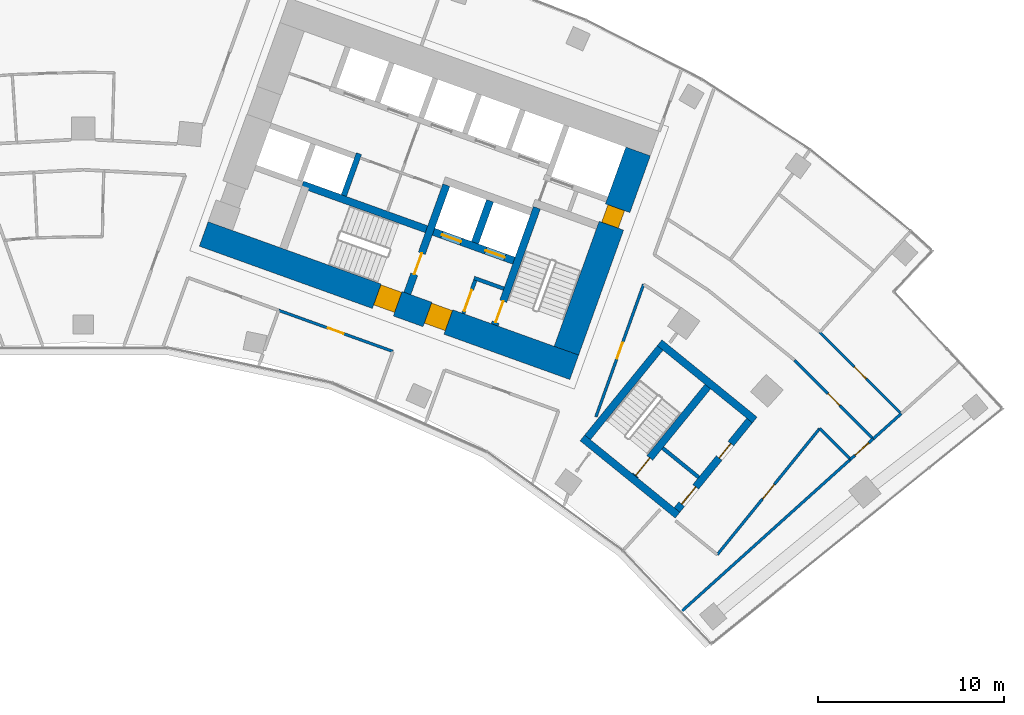
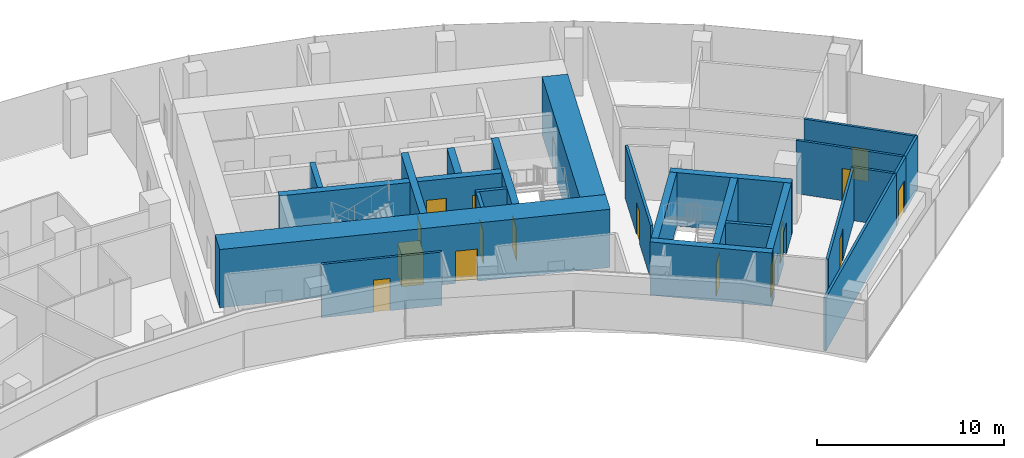
# One storey, part 17 of 21: 24 walls, 17 doors, 17 openings.
"""IFC4 building model written with IfcOpenShell, lengths in metres."""

import ifcopenshell
import ifcopenshell.guid

model = None  # the IFC model being written
_history = None  # IfcOwnerHistory: only IFC2X3 demands one
_inside = {}  # id of a spatial element -> (the spatial element, [elements in it])
_under = {}  # id of a project, library or spatial element -> (it, [spatial elements below it])
_declared = {}  # id of a project -> (the project, [libraries it declares])
_typed = {}  # id of a type object -> (the type object, [elements of that type])
_made_of = {}  # id of a material, layer set ... -> (it, [elements and type objects made of it])


def new_model(schema):
    """Start an empty IFC model of exactly this schema.

    Asked for "IFC4X3", IfcOpenShell would pick the latest addendum, in which some entities
    have other attributes; the version numbers below select the first issue.
    IFC2X3 requires an IfcOwnerHistory on every rooted entity: one is made here for all.
    """
    global model, _history
    if schema == "IFC4X3":
        model = ifcopenshell.file(schema_version=(4, 3, 0, 0))
    else:
        model = ifcopenshell.file(schema=schema)
    _inside.clear()
    _under.clear()
    _declared.clear()
    _typed.clear()
    _made_of.clear()
    _history = None
    if model.schema == "IFC2X3":
        org = make("IfcOrganization", Name="unknown")
        user = make(
            "IfcPersonAndOrganization",
            ThePerson=make("IfcPerson", FamilyName="unknown"),
            TheOrganization=org,
        )
        app = make(
            "IfcApplication",
            ApplicationDeveloper=org,
            Version="unknown",
            ApplicationFullName="unknown",
            ApplicationIdentifier="unknown",
        )
        _history = make(
            "IfcOwnerHistory",
            OwningUser=user,
            OwningApplication=app,
            ChangeAction="ADDED",
            CreationDate=0,
        )
    return model


def make(cls, **values):
    """One entity of the class cls with the attributes given. An attribute that is None is left unset."""
    return model.create_entity(
        cls, **{name: value for name, value in values.items() if value is not None}
    )


def rooted(cls, **values):
    """An entity with a GlobalId (a new one), such as an element, a storey or a relation."""
    return make(cls, GlobalId=ifcopenshell.guid.new(), OwnerHistory=_history, **values)


def si_unit(unit_type, name, prefix=None):
    """IfcSIUnit, for example si_unit("LENGTHUNIT", "METRE", prefix="MILLI")."""
    return make("IfcSIUnit", UnitType=unit_type, Prefix=prefix, Name=name)


def assignment(units):
    """IfcUnitAssignment: the units of a project."""
    return None if units is None else make("IfcUnitAssignment", Units=units)


def point(xyz):
    """IfcCartesianPoint."""
    return None if xyz is None else make("IfcCartesianPoint", Coordinates=xyz)


def direction(xyz):
    """IfcDirection."""
    return None if xyz is None else make("IfcDirection", DirectionRatios=xyz)


def frame(location, z_axis=None, x_axis=None):
    """IfcAxis2Placement3D, a coordinate frame: its origin and axes. An axis left out is left unset."""
    return make(
        "IfcAxis2Placement3D",
        Location=point(location),
        Axis=direction(z_axis),
        RefDirection=direction(x_axis),
    )


def frame_2d(location, x_axis=None):
    """IfcAxis2Placement2D, a coordinate frame in the plane: its origin and x axis."""
    return make(
        "IfcAxis2Placement2D", Location=point(location), RefDirection=direction(x_axis)
    )


def origin():
    """The frame at (0, 0, 0) with its axes left unset."""
    return frame((0.0, 0.0, 0.0))


def place(relative_to, where):
    """IfcLocalPlacement: puts the frame where relative to a parent placement (None: the world)."""
    return make(
        "IfcLocalPlacement", PlacementRelTo=relative_to, RelativePlacement=where
    )


def context(
    kind, dimensions, precision=None, world=None, true_north=None, identifier=None
):
    """IfcGeometricRepresentationContext, for example the 3D "Model" context."""
    return make(
        "IfcGeometricRepresentationContext",
        ContextIdentifier=identifier,
        ContextType=kind,
        CoordinateSpaceDimension=dimensions,
        Precision=precision,
        WorldCoordinateSystem=world,
        TrueNorth=true_north,
    )


def subcontext(parent, identifier, kind, view, scale=None):
    """IfcGeometricRepresentationSubContext, for example "Body" below "Model"."""
    return make(
        "IfcGeometricRepresentationSubContext",
        ContextIdentifier=identifier,
        ContextType=kind,
        ParentContext=parent,
        TargetScale=scale,
        TargetView=view,
    )


def project(units=None, contexts=None):
    """IfcProject with its units and contexts."""
    return rooted(
        "IfcProject",
        Name="project",
        RepresentationContexts=contexts,
        UnitsInContext=assignment(units),
    )


def spatial(cls, under=None, at=None, **own):
    """A site, building, storey or space (cls), placed at a placement, below another one or the project."""
    s = rooted(cls, ObjectPlacement=at, **own)
    if under is not None:
        _under.setdefault(under.id(), (under, []))[1].append(s)
    return s


def profile(cls, at=None, kind="AREA", **sizes):
    """A parametric profile (cls). Its sizes go by their IFC names, for example OverallWidth=200.0."""
    return make(cls, ProfileType=kind, Position=at, **sizes)


def rectangle(**sizes):
    """IfcRectangleProfileDef."""
    return profile("IfcRectangleProfileDef", **sizes)


def extrude(swept, where, along, depth):
    """IfcExtrudedAreaSolid: the profile swept, set in the frame where, extruded along a direction by depth."""
    return make(
        "IfcExtrudedAreaSolid",
        SweptArea=swept,
        Position=where,
        ExtrudedDirection=direction(along),
        Depth=depth,
    )


def shape(context_of_items, identifier, shape_type, items):
    """IfcShapeRepresentation: the items that make up one representation, for example the "Body"."""
    return make(
        "IfcShapeRepresentation",
        ContextOfItems=context_of_items,
        RepresentationIdentifier=identifier,
        RepresentationType=shape_type,
        Items=items,
    )


def material(Name=None, Category=None):
    """IfcMaterial."""
    return make("IfcMaterial", Name=Name, Category=Category)


def layer(
    of_material, thickness, ventilated=None, Name=None, Category=None, Priority=None
):
    """IfcMaterialLayer: one layer of a wall or slab, of a material (None: an air gap)."""
    return make(
        "IfcMaterialLayer",
        Material=of_material,
        LayerThickness=thickness,
        IsVentilated=ventilated,
        Name=Name,
        Category=Category,
        Priority=Priority,
    )


def layer_set(layers, Name=None):
    """IfcMaterialLayerSet."""
    return make("IfcMaterialLayerSet", MaterialLayers=layers, LayerSetName=Name)


def made_of(thing, what):
    """Note that an element or type object is made of a material, layer set ...; save() writes the relation."""
    if what is not None:
        _made_of.setdefault(what.id(), (what, []))[1].append(thing)
    return thing


def type_object(cls, material=None, **own):
    """A type object (cls), such as IfcWallType, which elements share."""
    return made_of(rooted(cls, **own), material)


def element(
    cls,
    number,
    at=None,
    inside=None,
    cuts=None,
    type_object=None,
    material=None,
    context=None,
    identifier="Body",
    shape_type=None,
    held_by="IfcProductDefinitionShape",
    body=None,
    shapes=None,
    **own,
):
    """One element of the class cls, such as IfcWall. Its Tag is "e" and its number.

    at: its placement. inside: the storey or other place that contains it. cuts: it is an
    opening in that element (IfcRelVoidsElement). A single representation is given by context,
    identifier, shape_type and body (its items); several are given by shapes. held_by: the class
    of the entity that holds the representations. save() writes the other relations.
    """
    e = rooted(cls, Tag="e%d" % number, ObjectPlacement=at, **own)
    if body is not None:
        shapes = [shape(context, identifier, shape_type, body)]
    if shapes is not None:
        e.Representation = make(held_by, Representations=shapes)
    if inside is not None:
        _inside.setdefault(inside.id(), (inside, []))[1].append(e)
    if cuts is not None:
        rooted(
            "IfcRelVoidsElement", RelatingBuildingElement=cuts, RelatedOpeningElement=e
        )
    if type_object is not None:
        _typed.setdefault(type_object.id(), (type_object, []))[1].append(e)
    return made_of(e, material)


def fill(opening, filler):
    """IfcRelFillsElement: the door or window that sits in an opening."""
    return rooted(
        "IfcRelFillsElement",
        RelatingOpeningElement=opening,
        RelatedBuildingElement=filler,
    )


def aggregate(whole, parts):
    """IfcRelAggregates: a whole, such as a stair, and the parts it consists of."""
    return rooted("IfcRelAggregates", RelatingObject=whole, RelatedObjects=parts)


def save(model, path):
    """Write the relations noted so far, then the file.

    IfcRelAggregates (storeys below a building ...), IfcRelContainedInSpatialStructure (elements
    in a storey), IfcRelDefinesByType, IfcRelAssociatesMaterial and IfcRelDeclares: one each for
    every whole, place, type object, material and project.
    """
    for whole, parts in _under.values():
        aggregate(whole, parts)
    for where, things in _inside.values():
        rooted(
            "IfcRelContainedInSpatialStructure",
            RelatedElements=things,
            RelatingStructure=where,
        )
    for kind, things in _typed.values():
        rooted("IfcRelDefinesByType", RelatedObjects=things, RelatingType=kind)
    for what, things in _made_of.values():
        rooted("IfcRelAssociatesMaterial", RelatedObjects=things, RelatingMaterial=what)
    for by, libraries in _declared.values():
        rooted("IfcRelDeclares", RelatingContext=by, RelatedDefinitions=libraries)
    model.write(path)


model = new_model("IFC4")

# Units and contexts
model_context = context("Model", 3, precision=1e-05, world=origin(), true_north=direction((0.0, 1.0)))
body_context = subcontext(model_context, "Body", "Model", "MODEL_VIEW")
ifc_project = project(units=[si_unit("LENGTHUNIT", "METRE"), si_unit("AREAUNIT", "SQUARE_METRE"), si_unit("VOLUMEUNIT", "CUBIC_METRE"), si_unit("PLANEANGLEUNIT", "RADIAN"), si_unit("MASSUNIT", "GRAM", prefix="KILO")], contexts=[model_context])

# Site, building, storey
site_placement = place(None, origin())
site = spatial("IfcSite", under=ifc_project, at=site_placement, CompositionType="ELEMENT")
building_placement = place(site_placement, origin())
building = spatial("IfcBuilding", under=site, at=building_placement, Name="Stone Belt Terrace Tower", CompositionType="ELEMENT")
storey_placement = place(building_placement, frame((0.0, 0.0, 163.0)))
storey = spatial("IfcBuildingStorey", under=building, at=storey_placement, Name="L39", CompositionType="ELEMENT", Elevation=163.0)

# Wall, openings, doors
ifc_material_1 = material(Name="Concrete B80", Category="concrete")
ifc_layer_1 = layer(ifc_material_1, 1.39990234375)
ifc_layer_set_1 = layer_set([ifc_layer_1], Name="Core wall 1400 B80")
wall_type_1 = type_object("IfcWallType", Name="Core wall 1400 B80", PredefinedType="SHEAR", material=ifc_layer_set_1)
wall_1_placement = place(storey_placement, frame((6.4833984375, 49.318115234375, 0.0), z_axis=(0.0, 0.0, 1.0), x_axis=(0.940923374003, -0.33861955681, 0.0)))
wall_1 = element("IfcWall", 1, at=wall_1_placement, inside=storey, type_object=wall_type_1, Name="Core B wall concave L39", PredefinedType="SHEAR", context=body_context, shape_type="SweptSolid", body=[
    extrude(rectangle(XDim=21.199951171875, YDim=1.39990234375, at=frame_2d((10.60009765625, 0.0))), origin(), (0.0, 0.0, 1.0), 3.800048828125),
])
opening_1_placement = place(wall_1_placement, frame((12.800048828125, 0.0, 0.0)))
opening_1 = element("IfcOpeningElement", 2, at=opening_1_placement, cuts=wall_1, Name="Opening L39-C23", PredefinedType="OPENING", context=body_context, shape_type="SweptSolid", body=[
    extrude(rectangle(XDim=1.199951171875, YDim=2.10009765625, at=frame_2d((0.60009765625, 1.050048828125))), frame((0.0, 0.7099609375, 0.0), z_axis=(0.0, -1.0, 0.0), x_axis=(1.0, 0.0, 0.0)), (0.0, 0.0, 1.0), 1.419921875),
])
opening_2_placement = place(wall_1_placement, frame((9.89990234375, 0.0, 0.0)))
opening_2 = element("IfcOpeningElement", 3, at=opening_2_placement, cuts=wall_1, Name="Opening L39-C25", PredefinedType="OPENING", context=body_context, shape_type="SweptSolid", body=[
    extrude(rectangle(XDim=1.199951171875, YDim=2.10009765625, at=frame_2d((0.60009765625, 1.050048828125))), frame((0.0, 0.7099609375, 0.0), z_axis=(0.0, -1.0, 0.0), x_axis=(1.0, 0.0, 0.0)), (0.0, 0.0, 1.0), 1.419921875),
])
ifc_material_2 = material(Name="Steel door leaf", Category="steel")
door_type_1 = type_object("IfcDoorType", Name="Fire-fighting lobby door 1200", OperationType="SINGLE_SWING_LEFT", PredefinedType="DOOR", material=ifc_material_2)
door_1_placement = place(opening_1_placement, origin())
door_1 = element("IfcDoor", 4, at=door_1_placement, inside=storey, type_object=door_type_1, Name="Fire-fighting lobby door core B", OperationType="SINGLE_SWING_RIGHT", OverallHeight=2.10009765625, OverallWidth=1.199951171875, PredefinedType="DOOR", context=body_context, shape_type="SweptSolid", body=[
    extrude(rectangle(XDim=1.199951171875, YDim=2.10009765625, at=frame_2d((0.60009765625, 1.050048828125))), frame((0.0, 0.655029296875, 0.0), z_axis=(0.0, -1.0, 0.0), x_axis=(1.0, 0.0, 0.0)), (0.0, 0.0, 1.0), 1.14990234375),
])
fill(opening_1, door_1)
door_type_2 = type_object("IfcDoorType", Name="Stair door 1200", OperationType="SINGLE_SWING_LEFT", PredefinedType="DOOR", material=ifc_material_2)
door_2_placement = place(opening_2_placement, origin())
door_2 = element("IfcDoor", 5, at=door_2_placement, inside=storey, type_object=door_type_2, Name="Stair 2 exit door core B", OperationType="SINGLE_SWING_LEFT", OverallHeight=2.10009765625, OverallWidth=1.199951171875, PredefinedType="DOOR", context=body_context, shape_type="SweptSolid", body=[
    extrude(rectangle(XDim=1.199951171875, YDim=2.10009765625, at=frame_2d((0.60009765625, 1.050048828125))), frame((0.0, 0.655029296875, 0.0), z_axis=(0.0, -1.0, 0.0), x_axis=(1.0, 0.0, 0.0)), (0.0, 0.0, 1.0), 1.14990234375),
])
fill(opening_2, door_2)

# Wall, opening, door
wall_2_placement = place(storey_placement, frame((26.00927734375, 43.03515625, 0.0), z_axis=(0.0, 0.0, 1.0), x_axis=(0.338625431531, 0.940921259788, 0.0)))
wall_2 = element("IfcWall", 6, at=wall_2_placement, inside=storey, type_object=wall_type_1, Name="Core B wall end_b L39", PredefinedType="SHEAR", context=body_context, shape_type="SweptSolid", body=[
    extrude(rectangle(XDim=11.400146484375, YDim=1.39990234375, at=frame_2d((5.7001953125, 0.0))), origin(), (0.0, 0.0, 1.0), 3.800048828125),
])
opening_3_placement = place(wall_2_placement, frame((7.14990234375, 0.0, 0.0)))
opening_3 = element("IfcOpeningElement", 7, at=opening_3_placement, cuts=wall_2, Name="Opening L39-C17", PredefinedType="OPENING", context=body_context, shape_type="SweptSolid", body=[
    extrude(rectangle(XDim=1.0, YDim=2.10009765625, at=frame_2d((0.5, 1.050048828125))), frame((0.0, 0.7099609375, 0.0), z_axis=(0.0, -1.0, 0.0), x_axis=(1.0, 0.0, 0.0)), (0.0, 0.0, 1.0), 1.419921875),
])
ifc_material_3 = material(Name="Timber door leaf", Category="wood")
door_type_3 = type_object("IfcDoorType", Name="Core room door 1000", OperationType="SINGLE_SWING_LEFT", PredefinedType="DOOR", material=ifc_material_3)
door_3_placement = place(opening_3_placement, origin())
door_3 = element("IfcDoor", 8, at=door_3_placement, inside=storey, type_object=door_type_3, Name="Door to Telecommunications riser room core B", OperationType="SINGLE_SWING_LEFT", OverallHeight=2.10009765625, OverallWidth=1.0, PredefinedType="DOOR", context=body_context, shape_type="SweptSolid", body=[
    extrude(rectangle(XDim=1.0, YDim=2.10009765625, at=frame_2d((0.5, 1.050048828125))), frame((0.0, 0.55517578125, 0.0), z_axis=(0.0, -1.0, 0.0), x_axis=(1.0, 0.0, 0.0)), (0.0, 0.0, 1.0), 0.949951171875),
])
fill(opening_3, door_3)

# Walls
ifc_layer_2 = layer(ifc_material_1, 0.39990234375)
ifc_layer_set_2 = layer_set([ifc_layer_2], Name="Fire-fighting lift shaft wall 400")
wall_type_2 = type_object("IfcWallType", Name="Fire-fighting lift shaft wall 400", PredefinedType="SHEAR", material=ifc_layer_set_2)
wall_3_placement = place(storey_placement, frame((21.0859375, 48.845458984375, 0.0), z_axis=(0.0, 0.0, 1.0), x_axis=(0.338629416206, 0.940919825745, 0.0)))
element("IfcWall", 9, at=wall_3_placement, inside=storey, type_object=wall_type_2, Name="Core B wall", PredefinedType="SHEAR", context=body_context, shape_type="SweptSolid", body=[
    extrude(rectangle(XDim=2.400146484375, YDim=0.39990234375, at=frame_2d((1.2001953125, 0.0))), origin(), (0.0, 0.0, 1.0), 3.47998046875),
])
ifc_layer_3 = layer(ifc_material_1, 0.300048828125)
ifc_layer_set_3 = layer_set([ifc_layer_3], Name="Lift shaft wall 300")
wall_type_3 = type_object("IfcWallType", Name="Lift shaft wall 300", PredefinedType="SHEAR", material=ifc_layer_set_3)
wall_4_placement = place(storey_placement, frame((14.029052734375, 51.38525390625, 0.0), z_axis=(0.0, 0.0, 1.0), x_axis=(0.338661829791, 0.940908159728, 0.0)))
element("IfcWall", 10, at=wall_4_placement, inside=storey, type_object=wall_type_3, Name="Core B wall", PredefinedType="SHEAR", context=body_context, shape_type="SweptSolid", body=[
    extrude(rectangle(XDim=2.39990234375, YDim=0.300048828125, at=frame_2d((1.199951171875, 0.0))), origin(), (0.0, 0.0, 1.0), 3.47998046875),
])

# Wall, opening, door
ifc_material_4 = material(Name="Gypsum board partition")
ifc_layer_4 = layer(ifc_material_4, 0.14990234375)
ifc_layer_set_4 = layer_set([ifc_layer_4], Name="PARTITION 150 EI 60")
wall_type_4 = type_object("IfcWallType", Name="PARTITION 150 EI 60", PredefinedType="PARTITIONING", material=ifc_layer_set_4)
wall_5_placement = place(storey_placement, frame((30.1669921875, 46.612060546875, 0.0), z_axis=(0.0, 0.0, 1.0), x_axis=(-0.338694393991, -0.940896438233, 0.0)))
wall_5 = element("IfcWall", 11, at=wall_5_placement, inside=storey, type_object=wall_type_4, Name="L39/wall/i029", PredefinedType="PARTITIONING", context=body_context, shape_type="SweptSolid", body=[
    extrude(rectangle(XDim=7.585205078125, YDim=0.14990234375, at=frame_2d((3.79248046875, 0.0))), origin(), (0.0, 0.0, 1.0), 3.47998046875),
])
opening_4_placement = place(wall_5_placement, frame((3.342529296875, 0.0, 0.0)))
opening_4 = element("IfcOpeningElement", 12, at=opening_4_placement, cuts=wall_5, Name="Opening D-C2-20", PredefinedType="OPENING", context=body_context, shape_type="SweptSolid", body=[
    extrude(rectangle(XDim=0.89990234375, YDim=2.10009765625, at=frame_2d((0.449951171875, 1.050048828125))), frame((0.0, 0.0849609375, 0.0), z_axis=(0.0, -1.0, 0.0), x_axis=(1.0, 0.0, 0.0)), (0.0, 0.0, 1.0), 0.169921875),
])
door_type_4 = type_object("IfcDoorType", Name="OFFICE DOOR 900 X 2100", OperationType="NOTDEFINED", PredefinedType="DOOR", material=ifc_material_3)
door_4_placement = place(opening_4_placement, origin())
door_4 = element("IfcDoor", 13, at=door_4_placement, inside=storey, type_object=door_type_4, Name="L39/door/i20", OperationType="SINGLE_SWING_RIGHT", OverallHeight=2.10009765625, OverallWidth=0.89990234375, PredefinedType="DOOR", context=body_context, shape_type="SweptSolid", body=[
    extrude(rectangle(XDim=0.89990234375, YDim=2.10009765625, at=frame_2d((0.449951171875, 1.050048828125))), frame((0.0, 0.02490234375, 0.0), z_axis=(0.0, -1.0, 0.0), x_axis=(1.0, 0.0, 0.0)), (0.0, 0.0, 1.0), 0.050048828125),
])
fill(opening_4, door_4)

wall_6_placement = place(storey_placement, frame((16.673095703125, 42.993896484375, 0.0), z_axis=(0.0, 0.0, 1.0), x_axis=(-0.940900248157, 0.338683809795, 0.0)))
wall_6 = element("IfcWall", 14, at=wall_6_placement, inside=storey, type_object=wall_type_4, Name="L39/wall/i036", PredefinedType="PARTITIONING", context=body_context, shape_type="SweptSolid", body=[
    extrude(rectangle(XDim=6.546142578125, YDim=0.14990234375, at=frame_2d((3.27294921875, 0.0))), origin(), (0.0, 0.0, 1.0), 3.47998046875),
])
opening_5_placement = place(wall_6_placement, frame((2.822998046875, 0.0, 0.0)))
opening_5 = element("IfcOpeningElement", 15, at=opening_5_placement, cuts=wall_6, Name="Opening D-C2-08", PredefinedType="OPENING", context=body_context, shape_type="SweptSolid", body=[
    extrude(rectangle(XDim=0.89990234375, YDim=2.10009765625, at=frame_2d((0.449951171875, 1.050048828125))), frame((0.0, 0.0849609375, 0.0), z_axis=(0.0, -1.0, 0.0), x_axis=(1.0, 0.0, 0.0)), (0.0, 0.0, 1.0), 0.169921875),
])
door_5_placement = place(opening_5_placement, origin())
door_5 = element("IfcDoor", 16, at=door_5_placement, inside=storey, type_object=door_type_4, Name="L39/door/i08", OperationType="SINGLE_SWING_RIGHT", OverallHeight=2.10009765625, OverallWidth=0.89990234375, PredefinedType="DOOR", context=body_context, shape_type="SweptSolid", body=[
    extrude(rectangle(XDim=0.89990234375, YDim=2.10009765625, at=frame_2d((0.449951171875, 1.050048828125))), frame((0.0, 0.02490234375, 0.0), z_axis=(0.0, -1.0, 0.0), x_axis=(1.0, 0.0, 0.0)), (0.0, 0.0, 1.0), 0.050048828125),
])
fill(opening_5, door_5)

wall_7_placement = place(storey_placement, frame((42.530029296875, 38.294921875, 0.0), z_axis=(0.0, 0.0, 1.0), x_axis=(-0.74296518681, -0.669330061471, 0.0)))
wall_7 = element("IfcWall", 17, at=wall_7_placement, inside=storey, type_object=wall_type_4, Name="L39/wall/i061", PredefinedType="PARTITIONING", context=body_context, shape_type="SweptSolid", body=[
    extrude(rectangle(XDim=1.6611328125, YDim=0.14990234375, at=frame_2d((0.83056640625, 0.0))), origin(), (0.0, 0.0, 1.0), 3.47998046875),
])
opening_6_placement = place(wall_7_placement, frame((0.33056640625, 0.0, 0.0)))
opening_6 = element("IfcOpeningElement", 18, at=opening_6_placement, cuts=wall_7, Name="Opening D-C2-19", PredefinedType="OPENING", context=body_context, shape_type="SweptSolid", body=[
    extrude(rectangle(XDim=1.0, YDim=2.10009765625, at=frame_2d((0.5, 1.050048828125))), frame((0.0, 0.0849609375, 0.0), z_axis=(0.0, -1.0, 0.0), x_axis=(1.0, 0.0, 0.0)), (0.0, 0.0, 1.0), 0.169921875),
])
ifc_material_5 = material(Name="Timber fire door leaf", Category="wood")
door_type_5 = type_object("IfcDoorType", Name="TENANCY ENTRANCE DOOR 1000 X 2100", OperationType="NOTDEFINED", PredefinedType="DOOR", material=ifc_material_5)
door_6_placement = place(opening_6_placement, origin())
door_6 = element("IfcDoor", 19, at=door_6_placement, inside=storey, type_object=door_type_5, Name="L39/door/i19", OperationType="SINGLE_SWING_RIGHT", OverallHeight=2.10009765625, OverallWidth=1.0, PredefinedType="DOOR", context=body_context, shape_type="SweptSolid", body=[
    extrude(rectangle(XDim=1.0, YDim=2.10009765625, at=frame_2d((0.5, 1.050048828125))), frame((0.0, 0.02490234375, 0.0), z_axis=(0.0, -1.0, 0.0), x_axis=(1.0, 0.0, 0.0)), (0.0, 0.0, 1.0), 0.050048828125),
])
fill(opening_6, door_6)

# Walls
wall_8_placement = place(storey_placement, frame((32.23681640625, 29.026123046875, 0.0), z_axis=(0.0, 0.0, 1.0), x_axis=(0.743116028327, 0.669162587451, 0.0)))
element("IfcWall", 20, at=wall_8_placement, inside=storey, type_object=wall_type_4, Name="L39/wall/i062", PredefinedType="PARTITIONING", context=body_context, shape_type="SweptSolid", body=[
    extrude(rectangle(XDim=12.201416015625, YDim=0.14990234375, at=frame_2d((6.1005859375, 0.0))), origin(), (0.0, 0.0, 1.0), 3.47998046875),
])
wall_9_placement = place(storey_placement, frame((42.52197265625, 38.287109375, 0.0), z_axis=(0.0, 0.0, 1.0), x_axis=(0.743276242629, 0.668984623997, 0.0)))
element("IfcWall", 21, at=wall_9_placement, inside=storey, type_object=wall_type_4, Name="L39/wall/i063", PredefinedType="PARTITIONING", context=body_context, shape_type="SweptSolid", body=[
    extrude(rectangle(XDim=2.0341796875, YDim=0.14990234375, at=frame_2d((1.01708984375, 0.0))), origin(), (0.0, 0.0, 1.0), 3.47998046875),
])
wall_10_placement = place(storey_placement, frame((41.300048828125, 37.18701171875, 0.0), z_axis=(0.0, 0.0, 1.0), x_axis=(-0.707158745675, 0.707054812879, 0.0)))
element("IfcWall", 22, at=wall_10_placement, inside=storey, type_object=wall_type_4, Name="L39/wall/i067", PredefinedType="PARTITIONING", context=body_context, shape_type="SweptSolid", body=[
    extrude(rectangle(XDim=2.34912109375, YDim=0.14990234375, at=frame_2d((1.174560546875, 0.0))), origin(), (0.0, 0.0, 1.0), 3.47998046875),
])

# Wall, opening, door
wall_11_placement = place(storey_placement, frame((38.291015625, 42.52587890625, 0.0), z_axis=(0.0, 0.0, 1.0), x_axis=(0.707106781187, -0.707106781187, 0.0)))
wall_11 = element("IfcWall", 23, at=wall_11_placement, inside=storey, type_object=wall_type_4, Name="L39/wall/i070", PredefinedType="PARTITIONING", context=body_context, shape_type="SweptSolid", body=[
    extrude(rectangle(XDim=5.989013671875, YDim=0.14990234375, at=frame_2d((2.99462890625, 0.0))), origin(), (0.0, 0.0, 1.0), 3.47998046875),
])
opening_7_placement = place(wall_11_placement, frame((2.544677734375, 0.0, 0.0)))
opening_7 = element("IfcOpeningElement", 24, at=opening_7_placement, cuts=wall_11, Name="Opening D-C2-23", PredefinedType="OPENING", context=body_context, shape_type="SweptSolid", body=[
    extrude(rectangle(XDim=0.89990234375, YDim=2.10009765625, at=frame_2d((0.449951171875, 1.050048828125))), frame((0.0, 0.0849609375, 0.0), z_axis=(0.0, -1.0, 0.0), x_axis=(1.0, 0.0, 0.0)), (0.0, 0.0, 1.0), 0.169921875),
])
door_7_placement = place(opening_7_placement, origin())
door_7 = element("IfcDoor", 25, at=door_7_placement, inside=storey, type_object=door_type_4, Name="L39/door/i23", OperationType="SINGLE_SWING_RIGHT", OverallHeight=2.10009765625, OverallWidth=0.89990234375, PredefinedType="DOOR", context=body_context, shape_type="SweptSolid", body=[
    extrude(rectangle(XDim=0.89990234375, YDim=2.10009765625, at=frame_2d((0.449951171875, 1.050048828125))), frame((0.0, 0.02490234375, 0.0), z_axis=(0.0, -1.0, 0.0), x_axis=(1.0, 0.0, 0.0)), (0.0, 0.0, 1.0), 0.050048828125),
])
fill(opening_7, door_7)

wall_12_placement = place(storey_placement, frame((39.64306640625, 38.843994140625, 0.0), z_axis=(0.0, 0.0, 1.0), x_axis=(-0.630226712005, -0.776411161354, 0.0)))
wall_12 = element("IfcWall", 26, at=wall_12_placement, inside=storey, type_object=wall_type_4, Name="L39/wall/i071", PredefinedType="PARTITIONING", context=body_context, shape_type="SweptSolid", body=[
    extrude(rectangle(XDim=8.742919921875, YDim=0.14990234375, at=frame_2d((4.37158203125, 0.0))), origin(), (0.0, 0.0, 1.0), 3.47998046875),
])
opening_8_placement = place(wall_12_placement, frame((3.871337890625, 0.0, 0.0)))
opening_8 = element("IfcOpeningElement", 27, at=opening_8_placement, cuts=wall_12, Name="Opening D-C2-22", PredefinedType="OPENING", context=body_context, shape_type="SweptSolid", body=[
    extrude(rectangle(XDim=1.0, YDim=2.10009765625, at=frame_2d((0.5, 1.050048828125))), frame((0.0, 0.0849609375, 0.0), z_axis=(0.0, -1.0, 0.0), x_axis=(1.0, 0.0, 0.0)), (0.0, 0.0, 1.0), 0.169921875),
])
door_8_placement = place(opening_8_placement, origin())
door_8 = element("IfcDoor", 28, at=door_8_placement, inside=storey, type_object=door_type_5, Name="L39/door/i22", OperationType="SINGLE_SWING_RIGHT", OverallHeight=2.10009765625, OverallWidth=1.0, PredefinedType="DOOR", context=body_context, shape_type="SweptSolid", body=[
    extrude(rectangle(XDim=1.0, YDim=2.10009765625, at=frame_2d((0.5, 1.050048828125))), frame((0.0, 0.02490234375, 0.0), z_axis=(0.0, -1.0, 0.0), x_axis=(1.0, 0.0, 0.0)), (0.0, 0.0, 1.0), 0.050048828125),
])
fill(opening_8, door_8)

wall_13_placement = place(storey_placement, frame((39.639892578125, 44.033935546875, 0.0), z_axis=(0.0, 0.0, 1.0), x_axis=(0.707126447351, -0.707087114475, 0.0)))
wall_13 = element("IfcWall", 29, at=wall_13_placement, inside=storey, type_object=wall_type_4, Name="L39/wall/i076", PredefinedType="PARTITIONING", context=body_context, shape_type="SweptSolid", body=[
    extrude(rectangle(XDim=6.20703125, YDim=0.14990234375, at=frame_2d((3.103515625, 0.0))), origin(), (0.0, 0.0, 1.0), 3.47998046875),
])
opening_9_placement = place(wall_13_placement, frame((2.653564453125, 0.0, 0.0)))
opening_9 = element("IfcOpeningElement", 30, at=opening_9_placement, cuts=wall_13, Name="Opening D-C2-26", PredefinedType="OPENING", context=body_context, shape_type="SweptSolid", body=[
    extrude(rectangle(XDim=0.89990234375, YDim=2.10009765625, at=frame_2d((0.449951171875, 1.050048828125))), frame((0.0, 0.0849609375, 0.0), z_axis=(0.0, -1.0, 0.0), x_axis=(1.0, 0.0, 0.0)), (0.0, 0.0, 1.0), 0.169921875),
])
door_9_placement = place(opening_9_placement, origin())
door_9 = element("IfcDoor", 31, at=door_9_placement, inside=storey, type_object=door_type_4, Name="L39/door/i26", OperationType="SINGLE_SWING_RIGHT", OverallHeight=2.10009765625, OverallWidth=0.89990234375, PredefinedType="DOOR", context=body_context, shape_type="SweptSolid", body=[
    extrude(rectangle(XDim=0.89990234375, YDim=2.10009765625, at=frame_2d((0.449951171875, 1.050048828125))), frame((0.0, 0.02490234375, 0.0), z_axis=(0.0, -1.0, 0.0), x_axis=(1.0, 0.0, 0.0)), (0.0, 0.0, 1.0), 0.050048828125),
])
fill(opening_9, door_9)

# Wall
ifc_material_6 = material(Name="Concrete masonry block", Category="masonry")
ifc_layer_5 = layer(ifc_material_6, 0.199951171875)
ifc_layer_set_5 = layer_set([ifc_layer_5], Name="Rated lobby wall 200")
wall_type_5 = type_object("IfcWallType", Name="Rated lobby wall 200", PredefinedType="PARTITIONING", material=ifc_layer_set_5)
wall_14_placement = place(storey_placement, frame((22.640625, 46.373046875, 0.0), z_axis=(0.0, 0.0, 1.0), x_axis=(-0.940966110313, 0.338500781747, 0.0)))
element("IfcWall", 32, at=wall_14_placement, inside=storey, type_object=wall_type_5, Name="Core B wall", PredefinedType="PARTITIONING", context=body_context, shape_type="SweptSolid", body=[
    extrude(rectangle(XDim=1.699951171875, YDim=0.199951171875, at=frame_2d((0.85009765625, 0.0))), origin(), (0.0, 0.0, 1.0), 3.47998046875),
])

# Wall, opening, door
wall_15_placement = place(storey_placement, frame((20.4580078125, 45.032958984375, 0.0), z_axis=(0.0, 0.0, 1.0), x_axis=(0.338573865316, 0.940939816208, 0.0)))
wall_15 = element("IfcWall", 33, at=wall_15_placement, inside=storey, type_object=wall_type_5, Name="Core B wall", PredefinedType="PARTITIONING", context=body_context, shape_type="SweptSolid", body=[
    extrude(rectangle(XDim=1.900146484375, YDim=0.199951171875, at=frame_2d((0.9501953125, 0.0))), origin(), (0.0, 0.0, 1.0), 3.47998046875),
])
opening_10_placement = place(wall_15_placement, frame((0.14990234375, 0.0, 0.0)))
opening_10 = element("IfcOpeningElement", 34, at=opening_10_placement, cuts=wall_15, Name="Opening L39-C22", PredefinedType="OPENING", context=body_context, shape_type="SweptSolid", body=[
    extrude(rectangle(XDim=1.199951171875, YDim=2.10009765625, at=frame_2d((0.60009765625, 1.050048828125))), frame((0.0, 0.10986328125, 0.0), z_axis=(0.0, -1.0, 0.0), x_axis=(1.0, 0.0, 0.0)), (0.0, 0.0, 1.0), 0.219970703125),
])
door_10_placement = place(opening_10_placement, origin())
door_10 = element("IfcDoor", 35, at=door_10_placement, inside=storey, type_object=door_type_2, Name="Stair airlock door core B", OperationType="SINGLE_SWING_RIGHT", OverallHeight=2.10009765625, OverallWidth=1.199951171875, PredefinedType="DOOR", context=body_context, shape_type="SweptSolid", body=[
    extrude(rectangle(XDim=1.199951171875, YDim=2.10009765625, at=frame_2d((0.60009765625, 1.050048828125))), frame((0.0, 0.02490234375, 0.0), z_axis=(0.0, -1.0, 0.0), x_axis=(1.0, 0.0, 0.0)), (0.0, 0.0, 1.0), 0.050048828125),
])
fill(opening_10, door_10)

# Wall
wall_16_placement = place(storey_placement, frame((31.190673828125, 37.79296875, 0.0), z_axis=(0.0, 0.0, 1.0), x_axis=(0.776370830301, -0.630276394813, 0.0)))
element("IfcWall", 36, at=wall_16_placement, inside=storey, type_object=wall_type_5, Name="Exit stair ST3B wall", PredefinedType="PARTITIONING", context=body_context, shape_type="SweptSolid", body=[
    extrude(rectangle(XDim=2.5, YDim=0.199951171875, at=frame_2d((1.25, 0.0))), origin(), (0.0, 0.0, 1.0), 3.47998046875),
])

# Wall, opening, door
ifc_layer_6 = layer(ifc_material_1, 0.39990234375)
ifc_layer_set_6 = layer_set([ifc_layer_6], Name="Stair enclosure wall 400")
wall_type_6 = type_object("IfcWallType", Name="Stair enclosure wall 400", PredefinedType="SHEAR", material=ifc_layer_set_6)
wall_17_placement = place(storey_placement, frame((22.151611328125, 44.42333984375, 0.0), z_axis=(0.0, 0.0, 1.0), x_axis=(0.338625272931, 0.940921316866, 0.0)))
wall_17 = element("IfcWall", 37, at=wall_17_placement, inside=storey, type_object=wall_type_6, Name="Core B wall", PredefinedType="SHEAR", context=body_context, shape_type="SweptSolid", body=[
    extrude(rectangle(XDim=6.699951171875, YDim=0.39990234375, at=frame_2d((3.35009765625, 0.0))), origin(), (0.0, 0.0, 1.0), 3.47998046875),
])
opening_11_placement = place(wall_17_placement, frame((0.14990234375, 0.0, 0.0)))
opening_11 = element("IfcOpeningElement", 38, at=opening_11_placement, cuts=wall_17, Name="Opening L39-C21", PredefinedType="OPENING", context=body_context, shape_type="SweptSolid", body=[
    extrude(rectangle(XDim=1.199951171875, YDim=2.10009765625, at=frame_2d((0.60009765625, 1.050048828125))), frame((0.0, 0.2099609375, 0.0), z_axis=(0.0, -1.0, 0.0), x_axis=(1.0, 0.0, 0.0)), (0.0, 0.0, 1.0), 0.419921875),
])
door_11_placement = place(opening_11_placement, origin())
door_11 = element("IfcDoor", 39, at=door_11_placement, inside=storey, type_object=door_type_2, Name="Stair 1 door core B", OperationType="SINGLE_SWING_RIGHT", OverallHeight=2.10009765625, OverallWidth=1.199951171875, PredefinedType="DOOR", context=body_context, shape_type="SweptSolid", body=[
    extrude(rectangle(XDim=1.199951171875, YDim=2.10009765625, at=frame_2d((0.60009765625, 1.050048828125))), frame((0.0, 0.02490234375, 0.0), z_axis=(0.0, -1.0, 0.0), x_axis=(1.0, 0.0, 0.0)), (0.0, 0.0, 1.0), 0.050048828125),
])
fill(opening_11, door_11)

# Wall, openings, doors
wall_18_placement = place(storey_placement, frame((23.182373046875, 47.87841796875, 0.0), z_axis=(0.0, 0.0, 1.0), x_axis=(-0.940921101762, 0.338625870628, 0.0)))
wall_18 = element("IfcWall", 40, at=wall_18_placement, inside=storey, type_object=wall_type_6, Name="Core B wall", PredefinedType="SHEAR", context=body_context, shape_type="SweptSolid", body=[
    extrude(rectangle(XDim=12.10009765625, YDim=0.39990234375, at=frame_2d((6.050048828125, 0.0))), origin(), (0.0, 0.0, 1.0), 3.47998046875),
])
opening_12_placement = place(wall_18_placement, frame((0.52001953125, 0.0, 0.0)))
opening_12 = element("IfcOpeningElement", 41, at=opening_12_placement, cuts=wall_18, Name="Opening L39-LD14", PredefinedType="OPENING", context=body_context, shape_type="SweptSolid", body=[
    extrude(rectangle(XDim=1.10009765625, YDim=2.199951171875, at=frame_2d((0.550048828125, 1.10009765625))), frame((0.0, 0.2099609375, 0.0), z_axis=(0.0, -1.0, 0.0), x_axis=(1.0, 0.0, 0.0)), (0.0, 0.0, 1.0), 0.419921875),
])
opening_13_placement = place(wall_18_placement, frame((3.02001953125, 0.0, 0.0)))
opening_13 = element("IfcOpeningElement", 42, at=opening_13_placement, cuts=wall_18, Name="Opening L39-LD15", PredefinedType="OPENING", context=body_context, shape_type="SweptSolid", body=[
    extrude(rectangle(XDim=1.10009765625, YDim=2.199951171875, at=frame_2d((0.550048828125, 1.10009765625))), frame((0.0, 0.2099609375, 0.0), z_axis=(0.0, -1.0, 0.0), x_axis=(1.0, 0.0, 0.0)), (0.0, 0.0, 1.0), 0.419921875),
])
ifc_material_7 = material(Name="Stainless steel door leaf", Category="steel")
door_type_6 = type_object("IfcDoorType", Name="Landing door 1100", OperationType="SLIDING_TO_LEFT", PredefinedType="DOOR", material=ifc_material_7)
door_12_placement = place(opening_12_placement, origin())
door_12 = element("IfcDoor", 43, at=door_12_placement, inside=storey, type_object=door_type_6, Name="Landing door FF1 core B", OperationType="SLIDING_TO_LEFT", OverallHeight=2.199951171875, OverallWidth=1.10009765625, PredefinedType="DOOR", context=body_context, shape_type="SweptSolid", body=[
    extrude(rectangle(XDim=1.10009765625, YDim=2.199951171875, at=frame_2d((0.550048828125, 1.10009765625))), frame((0.0, 0.02490234375, 0.0), z_axis=(0.0, -1.0, 0.0), x_axis=(1.0, 0.0, 0.0)), (0.0, 0.0, 1.0), 0.050048828125),
])
fill(opening_12, door_12)
door_13_placement = place(opening_13_placement, origin())
door_13 = element("IfcDoor", 44, at=door_13_placement, inside=storey, type_object=door_type_6, Name="Landing door FF2 core B", OperationType="SLIDING_TO_LEFT", OverallHeight=2.199951171875, OverallWidth=1.10009765625, PredefinedType="DOOR", context=body_context, shape_type="SweptSolid", body=[
    extrude(rectangle(XDim=1.10009765625, YDim=2.199951171875, at=frame_2d((0.550048828125, 1.10009765625))), frame((0.0, 0.02490234375, 0.0), z_axis=(0.0, -1.0, 0.0), x_axis=(1.0, 0.0, 0.0)), (0.0, 0.0, 1.0), 0.050048828125),
])
fill(opening_13, door_13)

# Wall, opening, door
wall_19_placement = place(storey_placement, frame((17.447021484375, 46.116455078125, 0.0), z_axis=(0.0, 0.0, 1.0), x_axis=(0.33860791464, 0.940927563707, 0.0)))
wall_19 = element("IfcWall", 45, at=wall_19_placement, inside=storey, type_object=wall_type_6, Name="Core B wall", PredefinedType="SHEAR", context=body_context, shape_type="SweptSolid", body=[
    extrude(rectangle(XDim=6.199951171875, YDim=0.39990234375, at=frame_2d((3.10009765625, 0.0))), origin(), (0.0, 0.0, 1.0), 3.47998046875),
])
opening_14_placement = place(wall_19_placement, frame((1.10009765625, 0.0, 0.0)))
opening_14 = element("IfcOpeningElement", 46, at=opening_14_placement, cuts=wall_19, Name="Opening L39-C24", PredefinedType="OPENING", context=body_context, shape_type="SweptSolid", body=[
    extrude(rectangle(XDim=1.199951171875, YDim=2.10009765625, at=frame_2d((0.60009765625, 1.050048828125))), frame((0.0, 0.2099609375, 0.0), z_axis=(0.0, -1.0, 0.0), x_axis=(1.0, 0.0, 0.0)), (0.0, 0.0, 1.0), 0.419921875),
])
door_14_placement = place(opening_14_placement, origin())
door_14 = element("IfcDoor", 47, at=door_14_placement, inside=storey, type_object=door_type_2, Name="Stair 2 door core B", OperationType="SINGLE_SWING_RIGHT", OverallHeight=2.10009765625, OverallWidth=1.199951171875, PredefinedType="DOOR", context=body_context, shape_type="SweptSolid", body=[
    extrude(rectangle(XDim=1.199951171875, YDim=2.10009765625, at=frame_2d((0.60009765625, 1.050048828125))), frame((0.0, 0.02490234375, 0.0), z_axis=(0.0, -1.0, 0.0), x_axis=(1.0, 0.0, 0.0)), (0.0, 0.0, 1.0), 0.050048828125),
])
fill(opening_14, door_14)

# Walls
wall_20_placement = place(storey_placement, frame((26.868408203125, 38.3388671875, 0.0), z_axis=(0.0, 0.0, 1.0), x_axis=(0.776428452498, -0.630205409491, 0.0)))
element("IfcWall", 48, at=wall_20_placement, inside=storey, type_object=wall_type_6, Name="Exit stair ST3B wall", PredefinedType="SHEAR", context=body_context, shape_type="SweptSolid", body=[
    extrude(rectangle(XDim=6.60009765625, YDim=0.39990234375, at=frame_2d((3.300048828125, 0.0))), origin(), (0.0, 0.0, 1.0), 3.47998046875),
])
wall_21_placement = place(storey_placement, frame((31.02783203125, 43.46337890625, 0.0), z_axis=(0.0, 0.0, 1.0), x_axis=(0.776413760801, -0.630223509589, 0.0)))
element("IfcWall", 49, at=wall_21_placement, inside=storey, type_object=wall_type_6, Name="Exit stair ST3B wall", PredefinedType="SHEAR", context=body_context, shape_type="SweptSolid", body=[
    extrude(rectangle(XDim=6.599853515625, YDim=0.39990234375, at=frame_2d((3.2998046875, 0.0))), origin(), (0.0, 0.0, 1.0), 3.47998046875),
])
wall_22_placement = place(storey_placement, frame((27.149658203125, 38.3681640625, 0.0), z_axis=(0.0, 0.0, 1.0), x_axis=(0.630211551729, 0.776423466973, 0.0)))
element("IfcWall", 50, at=wall_22_placement, inside=storey, type_object=wall_type_6, Name="Exit stair ST3B wall", PredefinedType="SHEAR", context=body_context, shape_type="SweptSolid", body=[
    extrude(rectangle(XDim=6.199951171875, YDim=0.39990234375, at=frame_2d((3.10009765625, 0.0))), origin(), (0.0, 0.0, 1.0), 3.47998046875),
])

# Wall, openings, doors
wall_23_placement = place(storey_placement, frame((31.963623046875, 34.460693359375, 0.0), z_axis=(0.0, 0.0, 1.0), x_axis=(0.630192283849, 0.776439106033, 0.0)))
wall_23 = element("IfcWall", 51, at=wall_23_placement, inside=storey, type_object=wall_type_6, Name="Exit stair ST3B wall", PredefinedType="SHEAR", context=body_context, shape_type="SweptSolid", body=[
    extrude(rectangle(XDim=6.199951171875, YDim=0.39990234375, at=frame_2d((3.10009765625, 0.0))), origin(), (0.0, 0.0, 1.0), 3.47998046875),
])
opening_15_placement = place(wall_23_placement, frame((0.39990234375, 0.0, 0.0)))
opening_15 = element("IfcOpeningElement", 52, at=opening_15_placement, cuts=wall_23, Name="Opening L39-C31", PredefinedType="OPENING", context=body_context, shape_type="SweptSolid", body=[
    extrude(rectangle(XDim=1.199951171875, YDim=2.10009765625, at=frame_2d((0.60009765625, 1.050048828125))), frame((0.0, 0.2099609375, 0.0), z_axis=(0.0, -1.0, 0.0), x_axis=(1.0, 0.0, 0.0)), (0.0, 0.0, 1.0), 0.419921875),
])
opening_16_placement = place(wall_23_placement, frame((3.60009765625, 0.0, 0.0)))
opening_16 = element("IfcOpeningElement", 53, at=opening_16_placement, cuts=wall_23, Name="Opening L39-C32", PredefinedType="OPENING", context=body_context, shape_type="SweptSolid", body=[
    extrude(rectangle(XDim=1.0, YDim=2.10009765625, at=frame_2d((0.5, 1.050048828125))), frame((0.0, 0.2099609375, 0.0), z_axis=(0.0, -1.0, 0.0), x_axis=(1.0, 0.0, 0.0)), (0.0, 0.0, 1.0), 0.419921875),
])
door_15_placement = place(opening_16_placement, origin())
door_15 = element("IfcDoor", 54, at=door_15_placement, inside=storey, type_object=door_type_3, Name="Door to stair pressurisation plant room ST3B", OperationType="SINGLE_SWING_LEFT", OverallHeight=2.10009765625, OverallWidth=1.0, PredefinedType="DOOR", context=body_context, shape_type="SweptSolid", body=[
    extrude(rectangle(XDim=1.0, YDim=2.10009765625, at=frame_2d((0.5, 1.050048828125))), frame((0.0, 0.02490234375, 0.0), z_axis=(0.0, -1.0, 0.0), x_axis=(1.0, 0.0, 0.0)), (0.0, 0.0, 1.0), 0.050048828125),
])
fill(opening_16, door_15)
door_type_7 = type_object("IfcDoorType", Name="Stair airlock door 1200", OperationType="SINGLE_SWING_LEFT", PredefinedType="DOOR", material=ifc_material_2)
door_16_placement = place(opening_15_placement, origin())
door_16 = element("IfcDoor", 55, at=door_16_placement, inside=storey, type_object=door_type_7, Name="Stair airlock door ST3B", OperationType="SINGLE_SWING_LEFT", OverallHeight=2.10009765625, OverallWidth=1.199951171875, PredefinedType="DOOR", context=body_context, shape_type="SweptSolid", body=[
    extrude(rectangle(XDim=1.199951171875, YDim=2.10009765625, at=frame_2d((0.60009765625, 1.050048828125))), frame((0.0, 0.02490234375, 0.0), z_axis=(0.0, -1.0, 0.0), x_axis=(1.0, 0.0, 0.0)), (0.0, 0.0, 1.0), 0.050048828125),
])
fill(opening_15, door_16)

# Wall, opening, door
wall_24_placement = place(storey_placement, frame((29.7119140625, 36.288330078125, 0.0), z_axis=(0.0, 0.0, 1.0), x_axis=(0.630192283849, 0.776439106033, 0.0)))
wall_24 = element("IfcWall", 56, at=wall_24_placement, inside=storey, type_object=wall_type_6, Name="Exit stair ST3B wall", PredefinedType="SHEAR", context=body_context, shape_type="SweptSolid", body=[
    extrude(rectangle(XDim=6.199951171875, YDim=0.39990234375, at=frame_2d((3.10009765625, 0.0))), origin(), (0.0, 0.0, 1.0), 3.47998046875),
])
opening_17_placement = place(wall_24_placement, frame((0.050048828125, 0.0, 0.0)))
opening_17 = element("IfcOpeningElement", 57, at=opening_17_placement, cuts=wall_24, Name="Opening L39-C30", PredefinedType="OPENING", context=body_context, shape_type="SweptSolid", body=[
    extrude(rectangle(XDim=1.199951171875, YDim=2.10009765625, at=frame_2d((0.60009765625, 1.050048828125))), frame((0.0, 0.2099609375, 0.0), z_axis=(0.0, -1.0, 0.0), x_axis=(1.0, 0.0, 0.0)), (0.0, 0.0, 1.0), 0.419921875),
])
door_17_placement = place(opening_17_placement, origin())
door_17 = element("IfcDoor", 58, at=door_17_placement, inside=storey, type_object=door_type_2, Name="Stair door ST3B", OperationType="SINGLE_SWING_RIGHT", OverallHeight=2.10009765625, OverallWidth=1.199951171875, PredefinedType="DOOR", context=body_context, shape_type="SweptSolid", body=[
    extrude(rectangle(XDim=1.199951171875, YDim=2.10009765625, at=frame_2d((0.60009765625, 1.050048828125))), frame((0.0, 0.02490234375, 0.0), z_axis=(0.0, -1.0, 0.0), x_axis=(1.0, 0.0, 0.0)), (0.0, 0.0, 1.0), 0.050048828125),
])
fill(opening_17, door_17)

save(model, "model.ifc")
